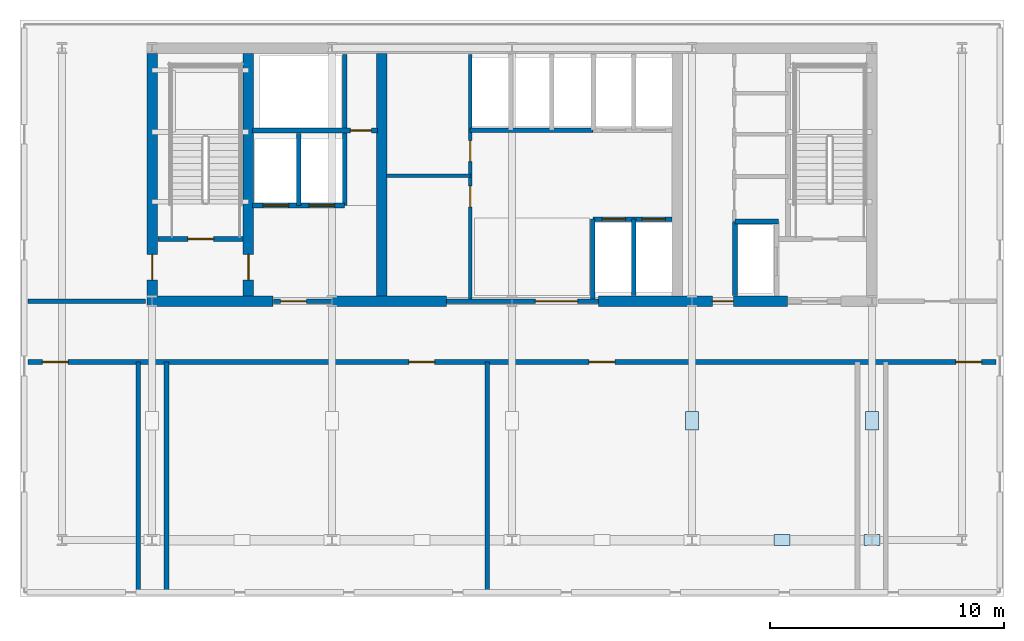
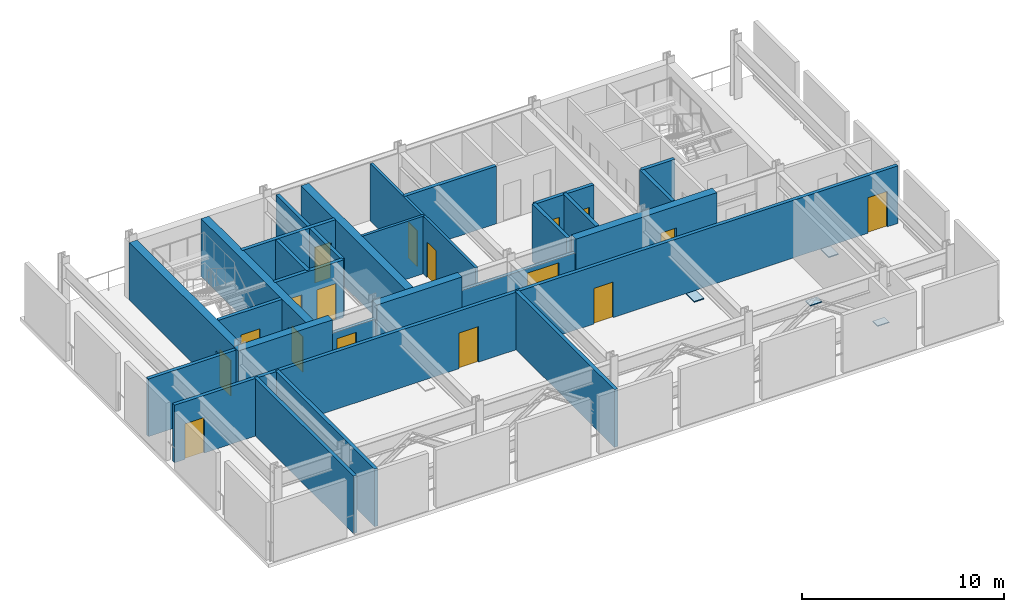
# One storey, part 2 of 7: 26 walls, 17 doors, 4 plates, 17 openings.
"""IFC4 building model written with IfcOpenShell, lengths in metres."""

from ifc_helpers import new_model, si_unit, direction, frame, frame_2d, origin, origin_2d, place, context, subcontext, project, spatial, rectangle, extrude, material, layer, layer_set, type_object, element, fill, save


model = new_model("IFC4")

# Units and contexts
model_context = context("Model", 3, precision=1e-05, world=origin(), true_north=direction((0.0, 1.0)))
body_context = subcontext(model_context, "Body", "Model", "MODEL_VIEW")
ifc_project = project(units=[si_unit("LENGTHUNIT", "METRE"), si_unit("AREAUNIT", "SQUARE_METRE"), si_unit("VOLUMEUNIT", "CUBIC_METRE"), si_unit("PLANEANGLEUNIT", "RADIAN"), si_unit("MASSUNIT", "GRAM", prefix="KILO")], contexts=[model_context])

# Site, building, storey
site_placement = place(None, origin())
site = spatial("IfcSite", under=ifc_project, at=site_placement, CompositionType="ELEMENT")
building_placement = place(site_placement, origin())
building = spatial("IfcBuilding", under=site, at=building_placement, Name="Yelkora Congress Tower", CompositionType="ELEMENT")
storey_placement = place(building_placement, frame((0.0, 0.0, 141.199951171875)))
storey = spatial("IfcBuildingStorey", under=building, at=storey_placement, Name="L38", CompositionType="ELEMENT", Elevation=141.199951171875)

# Plates
ifc_material_1 = material(Name="Steel S355J2", Category="steel")
ifc_layer_1 = layer(ifc_material_1, 0.050048828125)
ifc_layer_set_1 = layer_set([ifc_layer_1], Name="Steel S355J2")
plate_type_1 = type_object("IfcPlateType", Name="PLT-GUSSET-680x480", PredefinedType="USERDEFINED", material=ifc_layer_set_1)
for number, where, z_axis, x_axis, name in (
    (1, (49.919921875, 25.199951171875, 3.0048828125), (0.0, 0.0, 1.0), (1.0, 0.0, 0.0), "N2 L38 Belt Truss Apex Gusset Plate 4"),
    (2, (53.760009765625, 25.199951171875, 0.4248046875), (0.0, 0.0, 1.0), (1.0, 0.0, 0.0), "N2 L38 Belt Truss Foot Gusset Plate R"),
):
    element("IfcPlate", number, at=place(storey_placement, frame(where, z_axis=z_axis, x_axis=x_axis)), inside=storey, type_object=plate_type_1, Name=name, ObjectType="GUSSET_PLATE", PredefinedType="USERDEFINED", context=body_context, shape_type="SweptSolid", body=[
        extrude(rectangle(XDim=0.679931640625, YDim=0.47998046875, at=origin_2d()), origin(), (0.0, 0.0, 1.0), 0.050048828125),
    ])
ifc_material_2 = material(Name="Steel S460M", Category="steel")
ifc_layer_2 = layer(ifc_material_2, 0.06005859375)
ifc_layer_set_2 = layer_set([ifc_layer_2], Name="Steel S460M")
plate_type_2 = type_object("IfcPlateType", Name="PLT-GUSSET-800x560", PredefinedType="USERDEFINED", material=ifc_layer_set_2)
for number, where, z_axis, x_axis, name in (
    (3, (46.080078125, 30.300048828125, 1.56005859375), (0.0, 0.0, 1.0), (0.0, 1.0, 0.0), "N2 Outrigger X-Brace Crossing Gusset Plate 4"),
    (4, (53.760009765625, 30.300048828125, 1.56005859375), (0.0, 0.0, 1.0), (0.0, 1.0, 0.0), "N2 Outrigger X-Brace Crossing Gusset Plate 5"),
):
    element("IfcPlate", number, at=place(storey_placement, frame(where, z_axis=z_axis, x_axis=x_axis)), inside=storey, type_object=plate_type_2, Name=name, ObjectType="GUSSET_PLATE", PredefinedType="USERDEFINED", context=body_context, shape_type="SweptSolid", body=[
        extrude(rectangle(XDim=0.800048828125, YDim=0.56005859375, at=origin_2d()), origin(), (0.0, 0.0, 1.0), 0.06005859375),
    ])

# Walls
ifc_material_3 = material(Name="Concrete C60/75", Category="concrete")
ifc_layer_3 = layer(ifc_material_3, 0.449951171875)
ifc_layer_set_3 = layer_set([ifc_layer_3], Name="Concrete C60/75")
wall_type_1 = type_object("IfcWallType", Name="WALL-CORE-INT-450", PredefinedType="SHEAR", material=ifc_layer_set_3)
wall_1_placement = place(storey_placement, frame((22.81494140625, 35.39990234375, 0.0), z_axis=(0.0, 0.0, 1.0), x_axis=(1.0, 0.0, 0.0)))
element("IfcWall", 5, at=wall_1_placement, inside=storey, type_object=wall_type_1, Name="L38 Rear Core South-West Shear Wall", PredefinedType="SHEAR", context=body_context, shape_type="SweptSolid", body=[
    extrude(rectangle(XDim=5.385009765625, YDim=0.449951171875, at=frame_2d((2.6923828125, 0.0))), origin(), (0.0, 0.0, 1.0), 3.47998046875),
])
wall_2_placement = place(storey_placement, frame((30.719970703125, 35.39990234375, 0.0), z_axis=(0.0, 0.0, 1.0), x_axis=(1.0, 0.0, 0.0)))
element("IfcWall", 6, at=wall_2_placement, inside=storey, type_object=wall_type_1, Name="L38 Rear Core South-Center Shear Pier", PredefinedType="SHEAR", context=body_context, shape_type="SweptSolid", body=[
    extrude(rectangle(XDim=4.880126953125, YDim=0.449951171875, at=frame_2d((2.43994140625, 0.0))), origin(), (0.0, 0.0, 1.0), 3.47998046875),
])

# Wall, opening, door
wall_3_placement = place(storey_placement, frame((42.10009765625, 35.39990234375, 0.0), z_axis=(0.0, 0.0, 1.0), x_axis=(1.0, 0.0, 0.0)))
wall_3 = element("IfcWall", 7, at=wall_3_placement, inside=storey, type_object=wall_type_1, Name="L38 Rear Core South-East Shear Wall A", PredefinedType="SHEAR", context=body_context, shape_type="SweptSolid", body=[
    extrude(rectangle(XDim=8.0498046875, YDim=0.449951171875, at=frame_2d((4.02490234375, 0.0))), origin(), (0.0, 0.0, 1.0), 3.47998046875),
])
opening_1_placement = place(wall_3_placement, frame((4.85009765625, 0.0, 0.0)))
opening_1 = element("IfcOpeningElement", 8, at=opening_1_placement, cuts=wall_3, Name="Opening DR-090F6", PredefinedType="OPENING", context=body_context, shape_type="SweptSolid", body=[
    extrude(rectangle(XDim=0.89990234375, YDim=2.14990234375, at=frame_2d((0.449951171875, 1.074951171875))), frame((0.0, 0.23486328125, 0.0), z_axis=(0.0, -1.0, 0.0), x_axis=(1.0, 0.0, 0.0)), (0.0, 0.0, 1.0), 0.469970703125),
])
ifc_material_4 = material(Name="Painted steel riser fire door leaf", Category="steel")
door_type_1 = type_object("IfcDoorType", Name="DOOR-FD60-900", OperationType="NOTDEFINED", PredefinedType="DOOR", material=ifc_material_4)
door_1_placement = place(opening_1_placement, origin())
door_1 = element("IfcDoor", 9, at=door_1_placement, inside=storey, type_object=door_type_1, Name="L38 Core Washroom Lobby Door", OperationType="SINGLE_SWING_RIGHT", OverallHeight=2.14990234375, OverallWidth=0.89990234375, PredefinedType="DOOR", context=body_context, shape_type="SweptSolid", body=[
    extrude(rectangle(XDim=0.89990234375, YDim=2.14990234375, at=frame_2d((0.449951171875, 1.074951171875))), frame((0.0, 0.02490234375, 0.0), z_axis=(0.0, -1.0, 0.0), x_axis=(1.0, 0.0, 0.0)), (0.0, 0.0, 1.0), 0.050048828125),
])
fill(opening_1, door_1)

wall_4_placement = place(storey_placement, frame((23.0400390625, 35.625, 0.0), z_axis=(0.0, 0.0, 1.0), x_axis=(0.0, 1.0, 0.0)))
wall_4 = element("IfcWall", 10, at=wall_4_placement, inside=storey, type_object=wall_type_1, Name="L38 Rear Core Cross Shear Wall W", PredefinedType="SHEAR", context=body_context, shape_type="SweptSolid", body=[
    extrude(rectangle(XDim=10.35009765625, YDim=0.449951171875, at=frame_2d((5.175048828125, 0.0))), origin(), (0.0, 0.0, 1.0), 3.47998046875),
])
opening_2_placement = place(wall_4_placement, frame((0.675048828125, 0.0, 0.0)))
opening_2 = element("IfcOpeningElement", 11, at=opening_2_placement, cuts=wall_4, Name="Opening DR-110F9", PredefinedType="OPENING", context=body_context, shape_type="SweptSolid", body=[
    extrude(rectangle(XDim=1.10009765625, YDim=2.14990234375, at=frame_2d((0.550048828125, 1.074951171875))), frame((0.0, 0.23486328125, 0.0), z_axis=(0.0, -1.0, 0.0), x_axis=(1.0, 0.0, 0.0)), (0.0, 0.0, 1.0), 0.469970703125),
])
ifc_material_5 = material(Name="Galvanised steel fire door leaf", Category="steel")
door_type_2 = type_object("IfcDoorType", Name="DOOR-FD90-1100", OperationType="NOTDEFINED", PredefinedType="DOOR", material=ifc_material_5)
door_2_placement = place(opening_2_placement, origin())
door_2 = element("IfcDoor", 12, at=door_2_placement, inside=storey, type_object=door_type_2, Name="L38 Area of Refuge Direct Stair-Lobby Door", OperationType="SINGLE_SWING_LEFT", OverallHeight=2.14990234375, OverallWidth=1.10009765625, PredefinedType="DOOR", context=body_context, shape_type="SweptSolid", body=[
    extrude(rectangle(XDim=1.10009765625, YDim=2.14990234375, at=frame_2d((0.550048828125, 1.074951171875))), frame((0.0, 0.02490234375, 0.0), z_axis=(0.0, -1.0, 0.0), x_axis=(1.0, 0.0, 0.0)), (0.0, 0.0, 1.0), 0.050048828125),
])
fill(opening_2, door_2)

wall_5_placement = place(storey_placement, frame((27.14990234375, 35.625, 0.0), z_axis=(0.0, 0.0, 1.0), x_axis=(0.0, 1.0, 0.0)))
wall_5 = element("IfcWall", 13, at=wall_5_placement, inside=storey, type_object=wall_type_1, Name="L38 Rear Core Cross Shear Wall C1", PredefinedType="SHEAR", context=body_context, shape_type="SweptSolid", body=[
    extrude(rectangle(XDim=10.35009765625, YDim=0.449951171875, at=frame_2d((5.175048828125, 0.0))), origin(), (0.0, 0.0, 1.0), 3.47998046875),
])
opening_3_placement = place(wall_5_placement, frame((0.675048828125, 0.0, 0.0)))
opening_3 = element("IfcOpeningElement", 14, at=opening_3_placement, cuts=wall_5, Name="Opening DR-110F9", PredefinedType="OPENING", context=body_context, shape_type="SweptSolid", body=[
    extrude(rectangle(XDim=1.10009765625, YDim=2.14990234375, at=frame_2d((0.550048828125, 1.074951171875))), frame((0.0, 0.23486328125, 0.0), z_axis=(0.0, -1.0, 0.0), x_axis=(1.0, 0.0, 0.0)), (0.0, 0.0, 1.0), 0.469970703125),
])
door_3_placement = place(opening_3_placement, origin())
door_3 = element("IfcDoor", 15, at=door_3_placement, inside=storey, type_object=door_type_2, Name="L38 Firefighting Stair Transfer Door", OperationType="SINGLE_SWING_LEFT", OverallHeight=2.14990234375, OverallWidth=1.10009765625, PredefinedType="DOOR", context=body_context, shape_type="SweptSolid", body=[
    extrude(rectangle(XDim=1.10009765625, YDim=2.14990234375, at=frame_2d((0.550048828125, 1.074951171875))), frame((0.0, 0.02490234375, 0.0), z_axis=(0.0, -1.0, 0.0), x_axis=(1.0, 0.0, 0.0)), (0.0, 0.0, 1.0), 0.050048828125),
])
fill(opening_3, door_3)

# Walls
wall_6_placement = place(storey_placement, frame((32.85009765625, 35.625, 0.0), z_axis=(0.0, 0.0, 1.0), x_axis=(0.0, 1.0, 0.0)))
element("IfcWall", 16, at=wall_6_placement, inside=storey, type_object=wall_type_1, Name="L38 Rear Core Cross Shear Wall C2", PredefinedType="SHEAR", context=body_context, shape_type="SweptSolid", body=[
    extrude(rectangle(XDim=10.35009765625, YDim=0.449951171875, at=frame_2d((5.175048828125, 0.0))), origin(), (0.0, 0.0, 1.0), 3.47998046875),
])
ifc_material_6 = material(Name="Twin-stud fire-rated gypsum partition", Category="gypsum")
ifc_layer_4 = layer(ifc_material_6, 0.14990234375)
ifc_layer_set_4 = layer_set([ifc_layer_4], Name="Twin-stud fire-rated gypsum partition")
wall_type_2 = type_object("IfcWallType", Name="WALL-INT-150-R60", PredefinedType="PARTITIONING", material=ifc_layer_set_4)
wall_7_placement = place(storey_placement, frame((33.050048828125, 40.75, 0.0), z_axis=(0.0, 0.0, 1.0), x_axis=(1.0, 0.0, 0.0)))
element("IfcWall", 17, at=wall_7_placement, inside=storey, type_object=wall_type_2, Name="L38 Partition Wall 11", PredefinedType="PARTITIONING", context=body_context, shape_type="SweptSolid", body=[
    extrude(rectangle(XDim=3.570068359375, YDim=0.14990234375, at=frame_2d((1.78515625, 0.0))), origin(), (0.0, 0.0, 1.0), 3.47998046875),
])

# Wall, openings, doors
wall_8_placement = place(storey_placement, frame((36.6201171875, 35.5, 0.0), z_axis=(0.0, 0.0, 1.0), x_axis=(0.0, 1.0, 0.0)))
wall_8 = element("IfcWall", 18, at=wall_8_placement, inside=storey, type_object=wall_type_2, Name="L38 Partition Wall 12", PredefinedType="PARTITIONING", context=body_context, shape_type="SweptSolid", body=[
    extrude(rectangle(XDim=10.419921875, YDim=0.14990234375, at=frame_2d((5.2099609375, 0.0))), origin(), (0.0, 0.0, 1.0), 3.47998046875),
])
opening_4_placement = place(wall_8_placement, frame((3.919921875, 0.0, 0.0)))
opening_4 = element("IfcOpeningElement", 19, at=opening_4_placement, cuts=wall_8, Name="Opening DR-090F6", PredefinedType="OPENING", context=body_context, shape_type="SweptSolid", body=[
    extrude(rectangle(XDim=0.89990234375, YDim=2.14990234375, at=frame_2d((0.449951171875, 1.074951171875))), frame((0.0, 0.0849609375, 0.0), z_axis=(0.0, -1.0, 0.0), x_axis=(1.0, 0.0, 0.0)), (0.0, 0.0, 1.0), 0.169921875),
])
opening_5_placement = place(wall_8_placement, frame((5.85009765625, 0.0, 0.0)))
opening_5 = element("IfcOpeningElement", 20, at=opening_5_placement, cuts=wall_8, Name="Opening DR-090F6", PredefinedType="OPENING", context=body_context, shape_type="SweptSolid", body=[
    extrude(rectangle(XDim=0.89990234375, YDim=2.14990234375, at=frame_2d((0.449951171875, 1.074951171875))), frame((0.0, 0.0849609375, 0.0), z_axis=(0.0, -1.0, 0.0), x_axis=(1.0, 0.0, 0.0)), (0.0, 0.0, 1.0), 0.169921875),
])
door_4_placement = place(opening_4_placement, origin())
door_4 = element("IfcDoor", 21, at=door_4_placement, inside=storey, type_object=door_type_1, Name="L38 Telecom Store Door", OperationType="SINGLE_SWING_LEFT", OverallHeight=2.14990234375, OverallWidth=0.89990234375, PredefinedType="DOOR", context=body_context, shape_type="SweptSolid", body=[
    extrude(rectangle(XDim=0.89990234375, YDim=2.14990234375, at=frame_2d((0.449951171875, 1.074951171875))), frame((0.0, 0.02490234375, 0.0), z_axis=(0.0, -1.0, 0.0), x_axis=(1.0, 0.0, 0.0)), (0.0, 0.0, 1.0), 0.050048828125),
])
fill(opening_4, door_4)
door_5_placement = place(opening_5_placement, origin())
door_5 = element("IfcDoor", 22, at=door_5_placement, inside=storey, type_object=door_type_1, Name="L38 Archive Store Door", OperationType="SINGLE_SWING_RIGHT", OverallHeight=2.14990234375, OverallWidth=0.89990234375, PredefinedType="DOOR", context=body_context, shape_type="SweptSolid", body=[
    extrude(rectangle(XDim=0.89990234375, YDim=2.14990234375, at=frame_2d((0.449951171875, 1.074951171875))), frame((0.0, 0.02490234375, 0.0), z_axis=(0.0, -1.0, 0.0), x_axis=(1.0, 0.0, 0.0)), (0.0, 0.0, 1.0), 0.050048828125),
])
fill(opening_5, door_5)

# Wall, opening, door
ifc_material_7 = material(Name="Autoclaved aerated concrete blockwork", Category="masonry")
ifc_layer_5 = layer(ifc_material_7, 0.199951171875)
ifc_layer_set_5 = layer_set([ifc_layer_5], Name="Autoclaved aerated concrete blockwork")
wall_type_3 = type_object("IfcWallType", Name="WALL-INT-200-R120", PredefinedType="PARTITIONING", material=ifc_layer_set_5)
wall_9_placement = place(storey_placement, frame((23.300048828125, 38.050048828125, 0.0), z_axis=(0.0, 0.0, 1.0), x_axis=(1.0, 0.0, 0.0)))
wall_9 = element("IfcWall", 23, at=wall_9_placement, inside=storey, type_object=wall_type_3, Name="L38 Stair ST-01 Enclosure Wall", PredefinedType="PARTITIONING", context=body_context, shape_type="SweptSolid", body=[
    extrude(rectangle(XDim=3.619873046875, YDim=0.199951171875, at=frame_2d((1.81005859375, 0.0))), origin(), (0.0, 0.0, 1.0), 3.47998046875),
])
opening_6_placement = place(wall_9_placement, frame((1.260009765625, 0.0, 0.0)))
opening_6 = element("IfcOpeningElement", 24, at=opening_6_placement, cuts=wall_9, Name="Opening DR-110F9", PredefinedType="OPENING", context=body_context, shape_type="SweptSolid", body=[
    extrude(rectangle(XDim=1.10009765625, YDim=2.14990234375, at=frame_2d((0.550048828125, 1.074951171875))), frame((0.0, 0.10986328125, 0.0), z_axis=(0.0, -1.0, 0.0), x_axis=(1.0, 0.0, 0.0)), (0.0, 0.0, 1.0), 0.219970703125),
])
door_6_placement = place(opening_6_placement, origin())
door_6 = element("IfcDoor", 25, at=door_6_placement, inside=storey, type_object=door_type_2, Name="L38 Stair ST-01 Entry Door", OperationType="SINGLE_SWING_LEFT", OverallHeight=2.14990234375, OverallWidth=1.10009765625, PredefinedType="DOOR", context=body_context, shape_type="SweptSolid", body=[
    extrude(rectangle(XDim=1.10009765625, YDim=2.14990234375, at=frame_2d((0.550048828125, 1.074951171875))), frame((0.0, 0.02490234375, 0.0), z_axis=(0.0, -1.0, 0.0), x_axis=(1.0, 0.0, 0.0)), (0.0, 0.0, 1.0), 0.050048828125),
])
fill(opening_6, door_6)

wall_10_placement = place(storey_placement, frame((28.219970703125, 35.39990234375, 0.0), z_axis=(0.0, 0.0, 1.0), x_axis=(1.0, 0.0, 0.0)))
wall_10 = element("IfcWall", 26, at=wall_10_placement, inside=storey, type_object=wall_type_3, Name="L38 Firefighting Lobby South Wall", PredefinedType="PARTITIONING", context=body_context, shape_type="SweptSolid", body=[
    extrude(rectangle(XDim=2.5, YDim=0.199951171875, at=frame_2d((1.25, 0.0))), origin(), (0.0, 0.0, 1.0), 2.56494140625),
])
opening_7_placement = place(wall_10_placement, frame((0.300048828125, 0.0, 0.0)))
opening_7 = element("IfcOpeningElement", 27, at=opening_7_placement, cuts=wall_10, Name="Opening DR-110F9", PredefinedType="OPENING", context=body_context, shape_type="SweptSolid", body=[
    extrude(rectangle(XDim=1.10009765625, YDim=2.14990234375, at=frame_2d((0.550048828125, 1.074951171875))), frame((0.0, 0.10986328125, 0.0), z_axis=(0.0, -1.0, 0.0), x_axis=(1.0, 0.0, 0.0)), (0.0, 0.0, 1.0), 0.219970703125),
])
door_7_placement = place(opening_7_placement, origin())
door_7 = element("IfcDoor", 28, at=door_7_placement, inside=storey, type_object=door_type_2, Name="L38 Firefighting Lobby Corridor Door", OperationType="SINGLE_SWING_RIGHT", OverallHeight=2.14990234375, OverallWidth=1.10009765625, PredefinedType="DOOR", context=body_context, shape_type="SweptSolid", body=[
    extrude(rectangle(XDim=1.10009765625, YDim=2.14990234375, at=frame_2d((0.550048828125, 1.074951171875))), frame((0.0, 0.02490234375, 0.0), z_axis=(0.0, -1.0, 0.0), x_axis=(1.0, 0.0, 0.0)), (0.0, 0.0, 1.0), 0.050048828125),
])
fill(opening_7, door_7)

# Wall, openings, doors
wall_11_placement = place(storey_placement, frame((27.320068359375, 39.47998046875, 0.0), z_axis=(0.0, 0.0, 1.0), x_axis=(1.0, 0.0, 0.0)))
wall_11 = element("IfcWall", 29, at=wall_11_placement, inside=storey, type_object=wall_type_3, Name="L38 Firefighting Lift Front Wall", PredefinedType="PARTITIONING", context=body_context, shape_type="SweptSolid", body=[
    extrude(rectangle(XDim=3.93994140625, YDim=0.199951171875, at=frame_2d((1.969970703125, 0.0))), origin(), (0.0, 0.0, 1.0), 3.47998046875),
])
opening_8_placement = place(wall_11_placement, frame((0.449951171875, 0.0, 0.0)))
opening_8 = element("IfcOpeningElement", 30, at=opening_8_placement, cuts=wall_11, Name="Opening LD-FF11", PredefinedType="OPENING", context=body_context, shape_type="SweptSolid", body=[
    extrude(rectangle(XDim=1.10009765625, YDim=2.199951171875, at=frame_2d((0.550048828125, 1.10009765625))), frame((0.0, 0.10986328125, 0.0), z_axis=(0.0, -1.0, 0.0), x_axis=(1.0, 0.0, 0.0)), (0.0, 0.0, 1.0), 0.219970703125),
])
opening_9_placement = place(wall_11_placement, frame((2.409912109375, 0.0, 0.0)))
opening_9 = element("IfcOpeningElement", 31, at=opening_9_placement, cuts=wall_11, Name="Opening LD-FF11", PredefinedType="OPENING", context=body_context, shape_type="SweptSolid", body=[
    extrude(rectangle(XDim=1.10009765625, YDim=2.199951171875, at=frame_2d((0.550048828125, 1.10009765625))), frame((0.0, 0.10986328125, 0.0), z_axis=(0.0, -1.0, 0.0), x_axis=(1.0, 0.0, 0.0)), (0.0, 0.0, 1.0), 0.219970703125),
])
ifc_material_8 = material(Name="Brushed stainless steel 316L landing door", Category="steel")
door_type_3 = type_object("IfcDoorType", Name="DOOR-LIFT-FF-1100", OperationType="DOUBLE_DOOR_SLIDING", PredefinedType="DOOR", material=ifc_material_8)
door_8_placement = place(opening_8_placement, origin())
door_8 = element("IfcDoor", 32, at=door_8_placement, inside=storey, type_object=door_type_3, Name="Lift Landing Door LF-FF1 L38", OperationType="DOUBLE_DOOR_SLIDING", OverallHeight=2.199951171875, OverallWidth=1.10009765625, PredefinedType="DOOR", context=body_context, shape_type="SweptSolid", body=[
    extrude(rectangle(XDim=1.10009765625, YDim=2.199951171875, at=frame_2d((0.550048828125, 1.10009765625))), frame((0.0, 0.02490234375, 0.0), z_axis=(0.0, -1.0, 0.0), x_axis=(1.0, 0.0, 0.0)), (0.0, 0.0, 1.0), 0.050048828125),
])
fill(opening_8, door_8)
door_9_placement = place(opening_9_placement, origin())
door_9 = element("IfcDoor", 33, at=door_9_placement, inside=storey, type_object=door_type_3, Name="Lift Landing Door LF-FF2 L38", OperationType="DOUBLE_DOOR_SLIDING", OverallHeight=2.199951171875, OverallWidth=1.10009765625, PredefinedType="DOOR", context=body_context, shape_type="SweptSolid", body=[
    extrude(rectangle(XDim=1.10009765625, YDim=2.199951171875, at=frame_2d((0.550048828125, 1.10009765625))), frame((0.0, 0.02490234375, 0.0), z_axis=(0.0, -1.0, 0.0), x_axis=(1.0, 0.0, 0.0)), (0.0, 0.0, 1.0), 0.050048828125),
])
fill(opening_9, door_9)

# Walls
wall_12_placement = place(storey_placement, frame((29.300048828125, 39.47998046875, 0.0), z_axis=(0.0, 0.0, 1.0), x_axis=(0.0, 1.0, 0.0)))
element("IfcWall", 34, at=wall_12_placement, inside=storey, type_object=wall_type_3, Name="L38 Partition Wall 4", PredefinedType="PARTITIONING", context=body_context, shape_type="SweptSolid", body=[
    extrude(rectangle(XDim=3.070068359375, YDim=0.199951171875, at=frame_2d((1.53515625, 0.0))), origin(), (0.0, 0.0, 1.0), 3.47998046875),
])
wall_13_placement = place(storey_placement, frame((31.260009765625, 39.47998046875, 0.0), z_axis=(0.0, 0.0, 1.0), x_axis=(0.0, 1.0, 0.0)))
element("IfcWall", 35, at=wall_13_placement, inside=storey, type_object=wall_type_3, Name="L38 Partition Wall 5", PredefinedType="PARTITIONING", context=body_context, shape_type="SweptSolid", body=[
    extrude(rectangle(XDim=6.43994140625, YDim=0.199951171875, at=frame_2d((3.219970703125, 0.0))), origin(), (0.0, 0.0, 1.0), 3.47998046875),
])

# Wall, opening, door
wall_14_placement = place(storey_placement, frame((27.320068359375, 42.679931640625, 0.0), z_axis=(0.0, 0.0, 1.0), x_axis=(1.0, 0.0, 0.0)))
wall_14 = element("IfcWall", 36, at=wall_14_placement, inside=storey, type_object=wall_type_3, Name="L38 Smoke Riser South Wall", PredefinedType="PARTITIONING", context=body_context, shape_type="SweptSolid", body=[
    extrude(rectangle(XDim=5.329833984375, YDim=0.199951171875, at=frame_2d((2.6650390625, 0.0))), origin(), (0.0, 0.0, 1.0), 3.47998046875),
])
opening_10_placement = place(wall_14_placement, frame((4.179931640625, 0.0, 0.0)))
opening_10 = element("IfcOpeningElement", 37, at=opening_10_placement, cuts=wall_14, Name="Opening DR-090F6", PredefinedType="OPENING", context=body_context, shape_type="SweptSolid", body=[
    extrude(rectangle(XDim=0.89990234375, YDim=2.14990234375, at=frame_2d((0.449951171875, 1.074951171875))), frame((0.0, 0.10986328125, 0.0), z_axis=(0.0, -1.0, 0.0), x_axis=(1.0, 0.0, 0.0)), (0.0, 0.0, 1.0), 0.219970703125),
])
door_10_placement = place(opening_10_placement, origin())
door_10 = element("IfcDoor", 38, at=door_10_placement, inside=storey, type_object=door_type_1, Name="L38 Riser Access Door", OperationType="SINGLE_SWING_LEFT", OverallHeight=2.14990234375, OverallWidth=0.89990234375, PredefinedType="DOOR", context=body_context, shape_type="SweptSolid", body=[
    extrude(rectangle(XDim=0.89990234375, YDim=2.14990234375, at=frame_2d((0.449951171875, 1.074951171875))), frame((0.0, 0.02490234375, 0.0), z_axis=(0.0, -1.0, 0.0), x_axis=(1.0, 0.0, 0.0)), (0.0, 0.0, 1.0), 0.050048828125),
])
fill(opening_10, door_10)

wall_15_placement = place(storey_placement, frame((35.60009765625, 35.39990234375, 0.0), z_axis=(0.0, 0.0, 1.0), x_axis=(1.0, 0.0, 0.0)))
wall_15 = element("IfcWall", 39, at=wall_15_placement, inside=storey, type_object=wall_type_3, Name="L38 Main Lift Lobby South Portal Wall", PredefinedType="PARTITIONING", context=body_context, shape_type="SweptSolid", body=[
    extrude(rectangle(XDim=6.5, YDim=0.199951171875, at=frame_2d((3.25, 0.0))), origin(), (0.0, 0.0, 1.0), 2.56494140625),
])
opening_11_placement = place(wall_15_placement, frame((3.800048828125, 0.0, 0.0)))
opening_11 = element("IfcOpeningElement", 40, at=opening_11_placement, cuts=wall_15, Name="Opening DR-180D", PredefinedType="OPENING", context=body_context, shape_type="SweptSolid", body=[
    extrude(rectangle(XDim=1.800048828125, YDim=2.300048828125, at=frame_2d((0.89990234375, 1.14990234375))), frame((0.0, 0.10986328125, 0.0), z_axis=(0.0, -1.0, 0.0), x_axis=(1.0, 0.0, 0.0)), (0.0, 0.0, 1.0), 0.219970703125),
])
ifc_material_9 = material(Name="Acoustic double congress hall doors", Category="wood")
door_type_4 = type_object("IfcDoorType", Name="DOOR-DBL-1800", OperationType="DOUBLE_DOOR_SINGLE_SWING", PredefinedType="DOOR", material=ifc_material_9)
door_11_placement = place(opening_11_placement, origin())
door_11 = element("IfcDoor", 41, at=door_11_placement, inside=storey, type_object=door_type_4, Name="L38 Main Lift Lobby Portal Door", OperationType="DOUBLE_DOOR_SINGLE_SWING", OverallHeight=2.300048828125, OverallWidth=1.800048828125, PredefinedType="DOOR", context=body_context, shape_type="SweptSolid", body=[
    extrude(rectangle(XDim=1.800048828125, YDim=2.300048828125, at=frame_2d((0.89990234375, 1.14990234375))), frame((0.0, 0.02490234375, 0.0), z_axis=(0.0, -1.0, 0.0), x_axis=(1.0, 0.0, 0.0)), (0.0, 0.0, 1.0), 0.050048828125),
])
fill(opening_11, door_11)

# Wall
wall_16_placement = place(storey_placement, frame((36.60009765625, 42.699951171875, 0.0), z_axis=(0.0, 0.0, 1.0), x_axis=(1.0, 0.0, 0.0)))
element("IfcWall", 42, at=wall_16_placement, inside=storey, type_object=wall_type_3, Name="L38 Partition Wall 8", PredefinedType="PARTITIONING", context=body_context, shape_type="SweptSolid", body=[
    extrude(rectangle(XDim=5.25, YDim=0.199951171875, at=frame_2d((2.625, 0.0))), origin(), (0.0, 0.0, 1.0), 3.47998046875),
])

# Wall, openings, doors
wall_17_placement = place(storey_placement, frame((41.85009765625, 38.89990234375, 0.0), z_axis=(0.0, 0.0, 1.0), x_axis=(1.0, 0.0, 0.0)))
wall_17 = element("IfcWall", 43, at=wall_17_placement, inside=storey, type_object=wall_type_3, Name="L38 Partition Wall 13", PredefinedType="PARTITIONING", context=body_context, shape_type="SweptSolid", body=[
    extrude(rectangle(XDim=3.369873046875, YDim=0.199951171875, at=frame_2d((1.68505859375, 0.0))), origin(), (0.0, 0.0, 1.0), 3.47998046875),
])
opening_12_placement = place(wall_17_placement, frame((0.39990234375, 0.0, 0.0)))
opening_12 = element("IfcOpeningElement", 44, at=opening_12_placement, cuts=wall_17, Name="Opening LD-PS10", PredefinedType="OPENING", context=body_context, shape_type="SweptSolid", body=[
    extrude(rectangle(XDim=1.0, YDim=2.199951171875, at=frame_2d((0.5, 1.10009765625))), frame((0.0, 0.10986328125, 0.0), z_axis=(0.0, -1.0, 0.0), x_axis=(1.0, 0.0, 0.0)), (0.0, 0.0, 1.0), 0.219970703125),
])
opening_13_placement = place(wall_17_placement, frame((2.10009765625, 0.0, 0.0)))
opening_13 = element("IfcOpeningElement", 45, at=opening_13_placement, cuts=wall_17, Name="Opening LD-PS10", PredefinedType="OPENING", context=body_context, shape_type="SweptSolid", body=[
    extrude(rectangle(XDim=1.0, YDim=2.199951171875, at=frame_2d((0.5, 1.10009765625))), frame((0.0, 0.10986328125, 0.0), z_axis=(0.0, -1.0, 0.0), x_axis=(1.0, 0.0, 0.0)), (0.0, 0.0, 1.0), 0.219970703125),
])
ifc_material_10 = material(Name="Champagne stainless steel landing door", Category="steel")
door_type_5 = type_object("IfcDoorType", Name="DOOR-LIFT-PAS-1000", OperationType="DOUBLE_DOOR_SLIDING", PredefinedType="DOOR", material=ifc_material_10)
door_12_placement = place(opening_12_placement, origin())
door_12 = element("IfcDoor", 46, at=door_12_placement, inside=storey, type_object=door_type_5, Name="Lift Landing Door LF-P5 L38", OperationType="DOUBLE_DOOR_SLIDING", OverallHeight=2.199951171875, OverallWidth=1.0, PredefinedType="DOOR", context=body_context, shape_type="SweptSolid", body=[
    extrude(rectangle(XDim=1.0, YDim=2.199951171875, at=frame_2d((0.5, 1.10009765625))), frame((0.0, 0.02490234375, 0.0), z_axis=(0.0, -1.0, 0.0), x_axis=(1.0, 0.0, 0.0)), (0.0, 0.0, 1.0), 0.050048828125),
])
fill(opening_12, door_12)
door_13_placement = place(opening_13_placement, origin())
door_13 = element("IfcDoor", 47, at=door_13_placement, inside=storey, type_object=door_type_5, Name="Lift Landing Door LF-P6 L38", OperationType="DOUBLE_DOOR_SLIDING", OverallHeight=2.199951171875, OverallWidth=1.0, PredefinedType="DOOR", context=body_context, shape_type="SweptSolid", body=[
    extrude(rectangle(XDim=1.0, YDim=2.199951171875, at=frame_2d((0.5, 1.10009765625))), frame((0.0, 0.02490234375, 0.0), z_axis=(0.0, -1.0, 0.0), x_axis=(1.0, 0.0, 0.0)), (0.0, 0.0, 1.0), 0.050048828125),
])
fill(opening_13, door_13)

# Walls
wall_18_placement = place(storey_placement, frame((43.60009765625, 35.64990234375, 0.0), z_axis=(0.0, 0.0, 1.0), x_axis=(0.0, 1.0, 0.0)))
element("IfcWall", 48, at=wall_18_placement, inside=storey, type_object=wall_type_3, Name="L38 Partition Wall 15", PredefinedType="PARTITIONING", context=body_context, shape_type="SweptSolid", body=[
    extrude(rectangle(XDim=3.25, YDim=0.199951171875, at=frame_2d((1.625, 0.0))), origin(), (0.0, 0.0, 1.0), 3.47998046875),
])
wall_19_placement = place(storey_placement, frame((41.85009765625, 35.5, 0.0), z_axis=(0.0, 0.0, 1.0), x_axis=(0.0, 1.0, 0.0)))
element("IfcWall", 49, at=wall_19_placement, inside=storey, type_object=wall_type_3, Name="L38 Partition Wall 17", PredefinedType="PARTITIONING", context=body_context, shape_type="SweptSolid", body=[
    extrude(rectangle(XDim=3.39990234375, YDim=0.199951171875, at=frame_2d((1.699951171875, 0.0))), origin(), (0.0, 0.0, 1.0), 3.47998046875),
])
wall_20_placement = place(storey_placement, frame((47.919921875, 35.64990234375, 0.0), z_axis=(0.0, 0.0, 1.0), x_axis=(0.0, 1.0, 0.0)))
element("IfcWall", 50, at=wall_20_placement, inside=storey, type_object=wall_type_3, Name="L38 Partition Wall 22", PredefinedType="PARTITIONING", context=body_context, shape_type="SweptSolid", body=[
    extrude(rectangle(XDim=3.150146484375, YDim=0.199951171875, at=frame_2d((1.5751953125, 0.0))), origin(), (0.0, 0.0, 1.0), 3.47998046875),
])
wall_21_placement = place(storey_placement, frame((47.919921875, 38.800048828125, 0.0), z_axis=(0.0, 0.0, 1.0), x_axis=(1.0, 0.0, 0.0)))
element("IfcWall", 51, at=wall_21_placement, inside=storey, type_object=wall_type_3, Name="L38 Partition Wall 23", PredefinedType="PARTITIONING", context=body_context, shape_type="SweptSolid", body=[
    extrude(rectangle(XDim=1.860107421875, YDim=0.199951171875, at=frame_2d((0.93017578125, 0.0))), origin(), (0.0, 0.0, 1.0), 3.47998046875),
])
wall_22_placement = place(storey_placement, frame((17.75, 35.39990234375, 0.0), z_axis=(0.0, 0.0, 1.0), x_axis=(1.0, 0.0, 0.0)))
element("IfcWall", 52, at=wall_22_placement, inside=storey, type_object=wall_type_3, Name="L38 Partition Wall 28", PredefinedType="PARTITIONING", context=body_context, shape_type="SweptSolid", body=[
    extrude(rectangle(XDim=5.0, YDim=0.199951171875, at=frame_2d((2.5, 0.0))), origin(), (0.0, 0.0, 1.0), 3.47998046875),
])
for number, where, z_axis, x_axis, name in (
    (53, (22.449951171875, 22.97998046875, 0.0), (0.0, 0.0, 1.0), (0.0, 1.0, 0.0), "L38 Partition Wall 30"),
    (54, (23.64990234375, 22.97998046875, 0.0), (0.0, 0.0, 1.0), (0.0, 1.0, 0.0), "L38 Partition Wall 31"),
    (55, (37.35009765625, 22.97998046875, 0.0), (0.0, 0.0, 1.0), (0.0, 1.0, 0.0), "L38 Partition Wall 32"),
):
    element("IfcWall", number, at=place(storey_placement, frame(where, z_axis=z_axis, x_axis=x_axis)), inside=storey, type_object=wall_type_3, Name=name, PredefinedType="PARTITIONING", context=body_context, shape_type="SweptSolid", body=[
        extrude(rectangle(XDim=9.820068359375, YDim=0.199951171875, at=frame_2d((4.91015625, 0.0))), origin(), (0.0, 0.0, 1.0), 3.47998046875),
    ])

# Wall, openings, doors
wall_23_placement = place(storey_placement, frame((17.75, 32.800048828125, 0.0), z_axis=(0.0, 0.0, 1.0), x_axis=(1.0, 0.0, 0.0)))
wall_23 = element("IfcWall", 56, at=wall_23_placement, inside=storey, type_object=wall_type_3, Name="L38 Partition Wall 35", PredefinedType="PARTITIONING", context=body_context, shape_type="SweptSolid", body=[
    extrude(rectangle(XDim=41.300048828125, YDim=0.199951171875, at=frame_2d((20.64990234375, 0.0))), origin(), (0.0, 0.0, 1.0), 3.47998046875),
])
opening_14_placement = place(wall_23_placement, frame((0.60009765625, 0.0, 0.0)))
opening_14 = element("IfcOpeningElement", 57, at=opening_14_placement, cuts=wall_23, Name="Opening DR-110F9", PredefinedType="OPENING", context=body_context, shape_type="SweptSolid", body=[
    extrude(rectangle(XDim=1.10009765625, YDim=2.14990234375, at=frame_2d((0.550048828125, 1.074951171875))), frame((0.0, 0.10986328125, 0.0), z_axis=(0.0, -1.0, 0.0), x_axis=(1.0, 0.0, 0.0)), (0.0, 0.0, 1.0), 0.219970703125),
])
opening_15_placement = place(wall_23_placement, frame((16.243896484375, 0.0, 0.0)))
opening_15 = element("IfcOpeningElement", 58, at=opening_15_placement, cuts=wall_23, Name="Opening DR-110F9", PredefinedType="OPENING", context=body_context, shape_type="SweptSolid", body=[
    extrude(rectangle(XDim=1.10009765625, YDim=2.14990234375, at=frame_2d((0.550048828125, 1.074951171875))), frame((0.0, 0.10986328125, 0.0), z_axis=(0.0, -1.0, 0.0), x_axis=(1.0, 0.0, 0.0)), (0.0, 0.0, 1.0), 0.219970703125),
])
opening_16_placement = place(wall_23_placement, frame((23.945068359375, 0.0, 0.0)))
opening_16 = element("IfcOpeningElement", 59, at=opening_16_placement, cuts=wall_23, Name="Opening DR-110F9", PredefinedType="OPENING", context=body_context, shape_type="SweptSolid", body=[
    extrude(rectangle(XDim=1.10009765625, YDim=2.14990234375, at=frame_2d((0.550048828125, 1.074951171875))), frame((0.0, 0.10986328125, 0.0), z_axis=(0.0, -1.0, 0.0), x_axis=(1.0, 0.0, 0.0)), (0.0, 0.0, 1.0), 0.219970703125),
])
opening_17_placement = place(wall_23_placement, frame((39.60009765625, 0.0, 0.0)))
opening_17 = element("IfcOpeningElement", 60, at=opening_17_placement, cuts=wall_23, Name="Opening DR-110F9", PredefinedType="OPENING", context=body_context, shape_type="SweptSolid", body=[
    extrude(rectangle(XDim=1.10009765625, YDim=2.14990234375, at=frame_2d((0.550048828125, 1.074951171875))), frame((0.0, 0.10986328125, 0.0), z_axis=(0.0, -1.0, 0.0), x_axis=(1.0, 0.0, 0.0)), (0.0, 0.0, 1.0), 0.219970703125),
])
door_14_placement = place(opening_14_placement, origin())
door_14 = element("IfcDoor", 61, at=door_14_placement, inside=storey, type_object=door_type_2, Name="L38 Interior Door 21", OperationType="SINGLE_SWING_LEFT", OverallHeight=2.14990234375, OverallWidth=1.10009765625, PredefinedType="DOOR", context=body_context, shape_type="SweptSolid", body=[
    extrude(rectangle(XDim=1.10009765625, YDim=2.14990234375, at=frame_2d((0.550048828125, 1.074951171875))), frame((0.0, 0.02490234375, 0.0), z_axis=(0.0, -1.0, 0.0), x_axis=(1.0, 0.0, 0.0)), (0.0, 0.0, 1.0), 0.050048828125),
])
fill(opening_14, door_14)
door_15_placement = place(opening_15_placement, origin())
door_15 = element("IfcDoor", 62, at=door_15_placement, inside=storey, type_object=door_type_2, Name="L38 Interior Door 22", OperationType="SINGLE_SWING_RIGHT", OverallHeight=2.14990234375, OverallWidth=1.10009765625, PredefinedType="DOOR", context=body_context, shape_type="SweptSolid", body=[
    extrude(rectangle(XDim=1.10009765625, YDim=2.14990234375, at=frame_2d((0.550048828125, 1.074951171875))), frame((0.0, 0.02490234375, 0.0), z_axis=(0.0, -1.0, 0.0), x_axis=(1.0, 0.0, 0.0)), (0.0, 0.0, 1.0), 0.050048828125),
])
fill(opening_15, door_15)
door_16_placement = place(opening_16_placement, origin())
door_16 = element("IfcDoor", 63, at=door_16_placement, inside=storey, type_object=door_type_2, Name="L38 Interior Door 23", OperationType="SINGLE_SWING_LEFT", OverallHeight=2.14990234375, OverallWidth=1.10009765625, PredefinedType="DOOR", context=body_context, shape_type="SweptSolid", body=[
    extrude(rectangle(XDim=1.10009765625, YDim=2.14990234375, at=frame_2d((0.550048828125, 1.074951171875))), frame((0.0, 0.02490234375, 0.0), z_axis=(0.0, -1.0, 0.0), x_axis=(1.0, 0.0, 0.0)), (0.0, 0.0, 1.0), 0.050048828125),
])
fill(opening_16, door_16)
door_17_placement = place(opening_17_placement, origin())
door_17 = element("IfcDoor", 64, at=door_17_placement, inside=storey, type_object=door_type_2, Name="L38 Interior Door 24", OperationType="SINGLE_SWING_RIGHT", OverallHeight=2.14990234375, OverallWidth=1.10009765625, PredefinedType="DOOR", context=body_context, shape_type="SweptSolid", body=[
    extrude(rectangle(XDim=1.10009765625, YDim=2.14990234375, at=frame_2d((0.550048828125, 1.074951171875))), frame((0.0, 0.02490234375, 0.0), z_axis=(0.0, -1.0, 0.0), x_axis=(1.0, 0.0, 0.0)), (0.0, 0.0, 1.0), 0.050048828125),
])
fill(opening_17, door_17)

save(model, "model.ifc")
